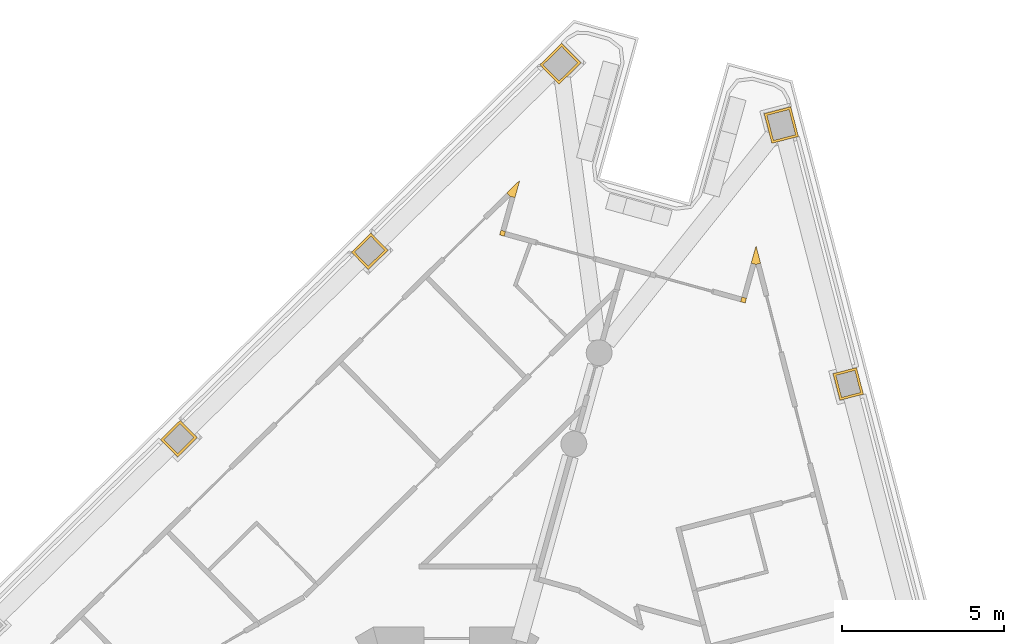
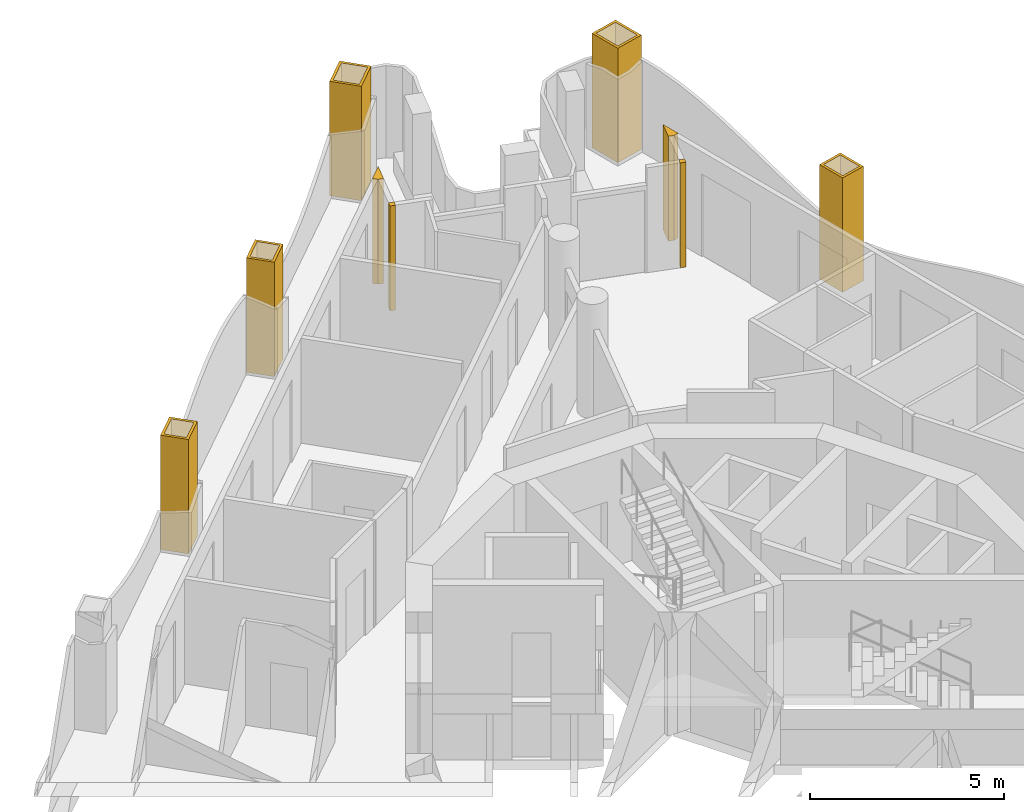
# One storey, part 13 of 14: 9 coverings.
"""IFC4 building model written with IfcOpenShell, lengths in metres."""

import ifcopenshell
import ifcopenshell.guid

model = None  # the IFC model being written
_history = None  # IfcOwnerHistory: only IFC2X3 demands one
_inside = {}  # id of a spatial element -> (the spatial element, [elements in it])
_under = {}  # id of a project, library or spatial element -> (it, [spatial elements below it])
_declared = {}  # id of a project -> (the project, [libraries it declares])
_typed = {}  # id of a type object -> (the type object, [elements of that type])
_made_of = {}  # id of a material, layer set ... -> (it, [elements and type objects made of it])


def new_model(schema):
    """Start an empty IFC model of exactly this schema.

    Asked for "IFC4X3", IfcOpenShell would pick the latest addendum, in which some entities
    have other attributes; the version numbers below select the first issue.
    IFC2X3 requires an IfcOwnerHistory on every rooted entity: one is made here for all.
    """
    global model, _history
    if schema == "IFC4X3":
        model = ifcopenshell.file(schema_version=(4, 3, 0, 0))
    else:
        model = ifcopenshell.file(schema=schema)
    _inside.clear()
    _under.clear()
    _declared.clear()
    _typed.clear()
    _made_of.clear()
    _history = None
    if model.schema == "IFC2X3":
        org = make("IfcOrganization", Name="unknown")
        user = make(
            "IfcPersonAndOrganization",
            ThePerson=make("IfcPerson", FamilyName="unknown"),
            TheOrganization=org,
        )
        app = make(
            "IfcApplication",
            ApplicationDeveloper=org,
            Version="unknown",
            ApplicationFullName="unknown",
            ApplicationIdentifier="unknown",
        )
        _history = make(
            "IfcOwnerHistory",
            OwningUser=user,
            OwningApplication=app,
            ChangeAction="ADDED",
            CreationDate=0,
        )
    return model


def make(cls, **values):
    """One entity of the class cls with the attributes given. An attribute that is None is left unset."""
    return model.create_entity(
        cls, **{name: value for name, value in values.items() if value is not None}
    )


def rooted(cls, **values):
    """An entity with a GlobalId (a new one), such as an element, a storey or a relation."""
    return make(cls, GlobalId=ifcopenshell.guid.new(), OwnerHistory=_history, **values)


def si_unit(unit_type, name, prefix=None):
    """IfcSIUnit, for example si_unit("LENGTHUNIT", "METRE", prefix="MILLI")."""
    return make("IfcSIUnit", UnitType=unit_type, Prefix=prefix, Name=name)


def assignment(units):
    """IfcUnitAssignment: the units of a project."""
    return None if units is None else make("IfcUnitAssignment", Units=units)


def point(xyz):
    """IfcCartesianPoint."""
    return None if xyz is None else make("IfcCartesianPoint", Coordinates=xyz)


def direction(xyz):
    """IfcDirection."""
    return None if xyz is None else make("IfcDirection", DirectionRatios=xyz)


def frame(location, z_axis=None, x_axis=None):
    """IfcAxis2Placement3D, a coordinate frame: its origin and axes. An axis left out is left unset."""
    return make(
        "IfcAxis2Placement3D",
        Location=point(location),
        Axis=direction(z_axis),
        RefDirection=direction(x_axis),
    )


def origin():
    """The frame at (0, 0, 0) with its axes left unset."""
    return frame((0.0, 0.0, 0.0))


def place(relative_to, where):
    """IfcLocalPlacement: puts the frame where relative to a parent placement (None: the world)."""
    return make(
        "IfcLocalPlacement", PlacementRelTo=relative_to, RelativePlacement=where
    )


def context(
    kind, dimensions, precision=None, world=None, true_north=None, identifier=None
):
    """IfcGeometricRepresentationContext, for example the 3D "Model" context."""
    return make(
        "IfcGeometricRepresentationContext",
        ContextIdentifier=identifier,
        ContextType=kind,
        CoordinateSpaceDimension=dimensions,
        Precision=precision,
        WorldCoordinateSystem=world,
        TrueNorth=true_north,
    )


def subcontext(parent, identifier, kind, view, scale=None):
    """IfcGeometricRepresentationSubContext, for example "Body" below "Model"."""
    return make(
        "IfcGeometricRepresentationSubContext",
        ContextIdentifier=identifier,
        ContextType=kind,
        ParentContext=parent,
        TargetScale=scale,
        TargetView=view,
    )


def project(units=None, contexts=None):
    """IfcProject with its units and contexts."""
    return rooted(
        "IfcProject",
        Name="project",
        RepresentationContexts=contexts,
        UnitsInContext=assignment(units),
    )


def spatial(cls, under=None, at=None, **own):
    """A site, building, storey or space (cls), placed at a placement, below another one or the project."""
    s = rooted(cls, ObjectPlacement=at, **own)
    if under is not None:
        _under.setdefault(under.id(), (under, []))[1].append(s)
    return s


def polyline(points):
    """IfcPolyline through the points."""
    return make("IfcPolyline", Points=[point(p) for p in points])


def outline(outer, holes=None, kind="AREA"):
    """IfcArbitraryClosedProfileDef: a profile drawn as a closed curve; with holes, ...WithVoids."""
    if holes is None:
        return make("IfcArbitraryClosedProfileDef", ProfileType=kind, OuterCurve=outer)
    return make(
        "IfcArbitraryProfileDefWithVoids",
        ProfileType=kind,
        OuterCurve=outer,
        InnerCurves=holes,
    )


def extrude(swept, where, along, depth):
    """IfcExtrudedAreaSolid: the profile swept, set in the frame where, extruded along a direction by depth."""
    return make(
        "IfcExtrudedAreaSolid",
        SweptArea=swept,
        Position=where,
        ExtrudedDirection=direction(along),
        Depth=depth,
    )


def shape(context_of_items, identifier, shape_type, items):
    """IfcShapeRepresentation: the items that make up one representation, for example the "Body"."""
    return make(
        "IfcShapeRepresentation",
        ContextOfItems=context_of_items,
        RepresentationIdentifier=identifier,
        RepresentationType=shape_type,
        Items=items,
    )


def material(Name=None, Category=None):
    """IfcMaterial."""
    return make("IfcMaterial", Name=Name, Category=Category)


def layer(
    of_material, thickness, ventilated=None, Name=None, Category=None, Priority=None
):
    """IfcMaterialLayer: one layer of a wall or slab, of a material (None: an air gap)."""
    return make(
        "IfcMaterialLayer",
        Material=of_material,
        LayerThickness=thickness,
        IsVentilated=ventilated,
        Name=Name,
        Category=Category,
        Priority=Priority,
    )


def layer_set(layers, Name=None):
    """IfcMaterialLayerSet."""
    return make("IfcMaterialLayerSet", MaterialLayers=layers, LayerSetName=Name)


def made_of(thing, what):
    """Note that an element or type object is made of a material, layer set ...; save() writes the relation."""
    if what is not None:
        _made_of.setdefault(what.id(), (what, []))[1].append(thing)
    return thing


def type_object(cls, material=None, **own):
    """A type object (cls), such as IfcWallType, which elements share."""
    return made_of(rooted(cls, **own), material)


def element(
    cls,
    number,
    at=None,
    inside=None,
    cuts=None,
    type_object=None,
    material=None,
    context=None,
    identifier="Body",
    shape_type=None,
    held_by="IfcProductDefinitionShape",
    body=None,
    shapes=None,
    **own,
):
    """One element of the class cls, such as IfcWall. Its Tag is "e" and its number.

    at: its placement. inside: the storey or other place that contains it. cuts: it is an
    opening in that element (IfcRelVoidsElement). A single representation is given by context,
    identifier, shape_type and body (its items); several are given by shapes. held_by: the class
    of the entity that holds the representations. save() writes the other relations.
    """
    e = rooted(cls, Tag="e%d" % number, ObjectPlacement=at, **own)
    if body is not None:
        shapes = [shape(context, identifier, shape_type, body)]
    if shapes is not None:
        e.Representation = make(held_by, Representations=shapes)
    if inside is not None:
        _inside.setdefault(inside.id(), (inside, []))[1].append(e)
    if cuts is not None:
        rooted(
            "IfcRelVoidsElement", RelatingBuildingElement=cuts, RelatedOpeningElement=e
        )
    if type_object is not None:
        _typed.setdefault(type_object.id(), (type_object, []))[1].append(e)
    return made_of(e, material)


def aggregate(whole, parts):
    """IfcRelAggregates: a whole, such as a stair, and the parts it consists of."""
    return rooted("IfcRelAggregates", RelatingObject=whole, RelatedObjects=parts)


def save(model, path):
    """Write the relations noted so far, then the file.

    IfcRelAggregates (storeys below a building ...), IfcRelContainedInSpatialStructure (elements
    in a storey), IfcRelDefinesByType, IfcRelAssociatesMaterial and IfcRelDeclares: one each for
    every whole, place, type object, material and project.
    """
    for whole, parts in _under.values():
        aggregate(whole, parts)
    for where, things in _inside.values():
        rooted(
            "IfcRelContainedInSpatialStructure",
            RelatedElements=things,
            RelatingStructure=where,
        )
    for kind, things in _typed.values():
        rooted("IfcRelDefinesByType", RelatedObjects=things, RelatingType=kind)
    for what, things in _made_of.values():
        rooted("IfcRelAssociatesMaterial", RelatedObjects=things, RelatingMaterial=what)
    for by, libraries in _declared.values():
        rooted("IfcRelDeclares", RelatingContext=by, RelatedDefinitions=libraries)
    model.write(path)


model = new_model("IFC4")

# Units and contexts
model_context = context("Model", 3, precision=1e-05, world=origin(), true_north=direction((0.0, 1.0)))
body_context = subcontext(model_context, "Body", "Model", "MODEL_VIEW")
ifc_project = project(units=[si_unit("LENGTHUNIT", "METRE"), si_unit("AREAUNIT", "SQUARE_METRE"), si_unit("VOLUMEUNIT", "CUBIC_METRE"), si_unit("PLANEANGLEUNIT", "RADIAN"), si_unit("MASSUNIT", "GRAM", prefix="KILO")], contexts=[model_context])

# Site, building, storey
site_placement = place(None, origin())
site = spatial("IfcSite", under=ifc_project, at=site_placement, CompositionType="ELEMENT")
building_placement = place(site_placement, origin())
building = spatial("IfcBuilding", under=site, at=building_placement, Name="Trine Commons Tower", CompositionType="ELEMENT")
storey_placement = place(building_placement, frame((0.0, 0.0, 249.300048828125)))
storey = spatial("IfcBuildingStorey", under=building, at=storey_placement, Name="L65", CompositionType="ELEMENT", Elevation=249.300048828125)

# Coverings
ifc_material_1 = material(Name="Aluminium-framed insulated wall panel", Category="aluminium")
ifc_layer_1 = layer(ifc_material_1, 0.14990234375)
ifc_layer_set_1 = layer_set([ifc_layer_1], Name="Aluminium-framed insulated wall panel")
covering_type_1 = type_object("IfcCoveringType", Name="Glazing corner post, aluminium", PredefinedType="CLADDING", material=ifc_layer_set_1)
covering_1_placement = place(storey_placement, origin())
element("IfcCovering", 1, at=covering_1_placement, inside=storey, type_object=covering_type_1, Name="Glazing corner post 7-02", PredefinedType="CLADDING", context=body_context, shape_type="SweptSolid", body=[
    extrude(outline(polyline([(82.107177734375, 84.280029296875), (82.256591796875, 84.819580078125), (81.857421875, 84.42724609375), (81.962646484375, 84.3203125), (82.107177734375, 84.280029296875)])), origin(), (0.0, 0.0, 1.0), 3.300048828125),
])
covering_2_placement = place(storey_placement, origin())
element("IfcCovering", 2, at=covering_2_placement, inside=storey, type_object=covering_type_1, Name="Glazing corner post 7-03", PredefinedType="CLADDING", context=body_context, shape_type="SweptSolid", body=[
    extrude(outline(polyline([(81.77685546875, 83.08935546875), (81.81689453125, 83.23388671875), (81.67236328125, 83.27392578125), (81.63232421875, 83.12939453125), (81.77685546875, 83.08935546875)])), origin(), (0.0, 0.0, 1.0), 3.300048828125),
])
covering_3_placement = place(storey_placement, origin())
element("IfcCovering", 3, at=covering_3_placement, inside=storey, type_object=covering_type_1, Name="Glazing corner post 7-04", PredefinedType="CLADDING", context=body_context, shape_type="SweptSolid", body=[
    extrude(outline(polyline([(89.081298828125, 81.063720703125), (89.225830078125, 81.023681640625), (89.265869140625, 81.168212890625), (89.121337890625, 81.208251953125), (89.081298828125, 81.063720703125)])), origin(), (0.0, 0.0, 1.0), 3.300048828125),
])
covering_4_placement = place(storey_placement, origin())
element("IfcCovering", 4, at=covering_4_placement, inside=storey, type_object=covering_type_1, Name="Glazing corner post 7-05", PredefinedType="CLADDING", context=body_context, shape_type="SweptSolid", body=[
    extrude(outline(polyline([(89.411376953125, 82.25439453125), (89.555908203125, 82.21435546875), (89.701171875, 82.251953125), (89.56103515625, 82.7939453125), (89.411376953125, 82.25439453125)])), origin(), (0.0, 0.0, 1.0), 3.300048828125),
])
ifc_material_2 = material(Name="Limestone, honed", Category="masonry")
ifc_layer_2 = layer(ifc_material_2, 0.074951171875)
ifc_layer_set_2 = layer_set([ifc_layer_2], Name="Limestone, honed")
covering_type_2 = type_object("IfcCoveringType", Name="Limestone column cladding 75", PredefinedType="CLADDING", material=ifc_layer_set_2)
covering_5_placement = place(storey_placement, origin())
element("IfcCovering", 5, at=covering_5_placement, inside=storey, type_object=covering_type_2, Name="Limestone pier cladding 7-10", PredefinedType="CLADDING", context=body_context, shape_type="SweptSolid", body=[
    extrude(outline(polyline([(72.281005859375, 76.860107421875), (71.755126953125, 77.39501953125), (71.14892578125, 76.79931640625), (71.674560546875, 76.26416015625), (72.281005859375, 76.860107421875)]), holes=[polyline([(72.1748046875, 76.86083984375), (71.75439453125, 77.288818359375), (71.2548828125, 76.79833984375), (71.675537109375, 76.370361328125), (72.1748046875, 76.86083984375)])]), origin(), (0.0, 0.0, 1.0), 3.599853515625),
])
covering_6_placement = place(storey_placement, origin())
element("IfcCovering", 6, at=covering_6_placement, inside=storey, type_object=covering_type_2, Name="Limestone pier cladding 7-11", PredefinedType="CLADDING", context=body_context, shape_type="SweptSolid", body=[
    extrude(outline(polyline([(78.178466796875, 82.655517578125), (77.65283203125, 83.190673828125), (77.04638671875, 82.5947265625), (77.572265625, 82.059814453125), (78.178466796875, 82.655517578125)]), holes=[polyline([(78.072509765625, 82.656494140625), (77.65185546875, 83.08447265625), (77.152587890625, 82.593994140625), (77.572998046875, 82.166015625), (78.072509765625, 82.656494140625)])]), origin(), (0.0, 0.0, 1.0), 3.599853515625),
])
covering_7_placement = place(storey_placement, origin())
element("IfcCovering", 7, at=covering_7_placement, inside=storey, type_object=covering_type_2, Name="Limestone pier cladding 7-12", PredefinedType="CLADDING", context=body_context, shape_type="SweptSolid", body=[
    extrude(outline(polyline([(84.14697265625, 88.45068359375), (83.551025390625, 89.056884765625), (82.87353515625, 88.39111328125), (83.46923828125, 87.78466796875), (84.14697265625, 88.45068359375)]), holes=[polyline([(84.040771484375, 88.451416015625), (83.55029296875, 88.95068359375), (82.9794921875, 88.39013671875), (83.47021484375, 87.890869140625), (84.040771484375, 88.451416015625)])]), origin(), (0.0, 0.0, 1.0), 3.599853515625),
])
covering_8_placement = place(storey_placement, origin())
element("IfcCovering", 8, at=covering_8_placement, inside=storey, type_object=covering_type_2, Name="Limestone pier cladding 7-13", PredefinedType="CLADDING", context=body_context, shape_type="SweptSolid", body=[
    extrude(outline(polyline([(90.6337890625, 87.0927734375), (89.81103515625, 86.8798828125), (90.048828125, 85.960205078125), (90.871826171875, 86.1728515625), (90.6337890625, 87.0927734375)]), holes=[polyline([(90.580078125, 87.001220703125), (89.90234375, 86.825927734375), (90.102783203125, 86.051513671875), (90.780517578125, 86.226806640625), (90.580078125, 87.001220703125)])]), origin(), (0.0, 0.0, 1.0), 3.599853515625),
])
covering_9_placement = place(storey_placement, origin())
element("IfcCovering", 9, at=covering_9_placement, inside=storey, type_object=covering_type_2, Name="Limestone pier cladding 7-14", PredefinedType="CLADDING", context=body_context, shape_type="SweptSolid", body=[
    extrude(outline(polyline([(92.668212890625, 79.0263671875), (91.942138671875, 78.838623046875), (92.155029296875, 78.015625), (92.881103515625, 78.203369140625), (92.668212890625, 79.0263671875)]), holes=[polyline([(92.614501953125, 78.93505859375), (92.03369140625, 78.78466796875), (92.208984375, 78.10693359375), (92.789794921875, 78.25732421875), (92.614501953125, 78.93505859375)])]), origin(), (0.0, 0.0, 1.0), 3.599853515625),
])

save(model, "model.ifc")
